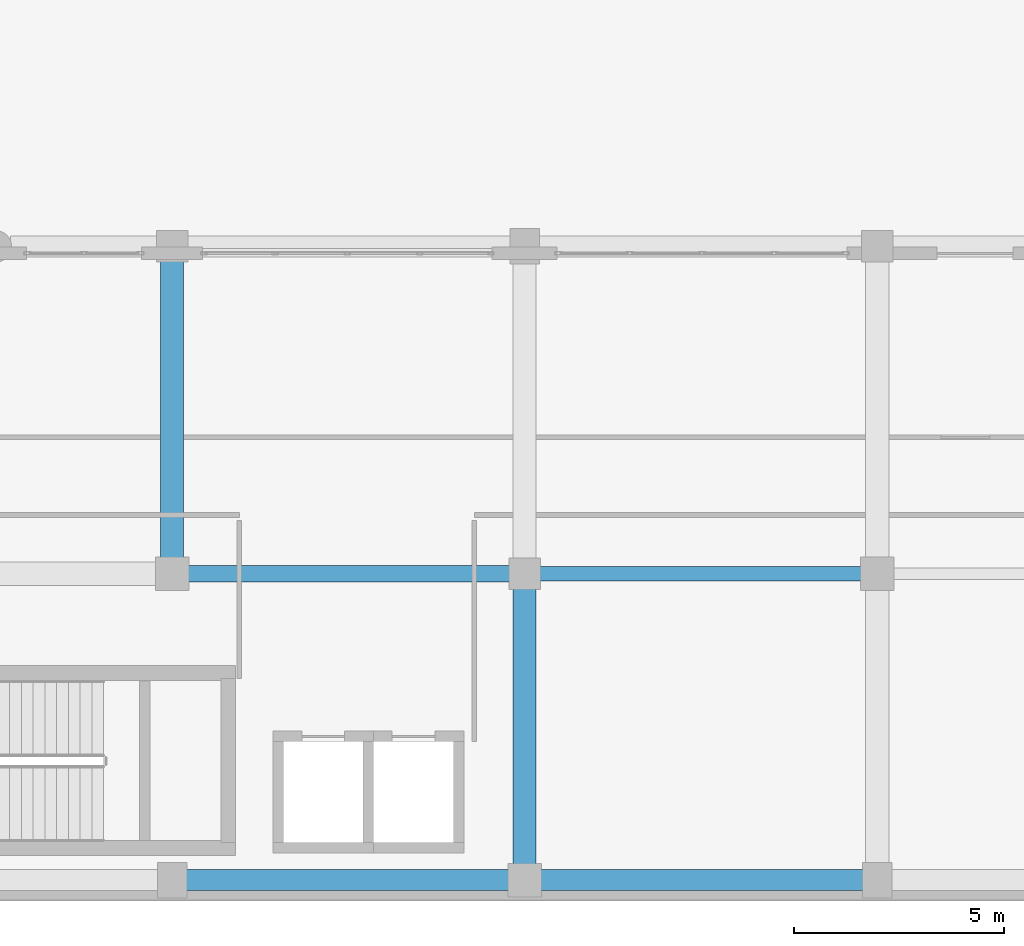
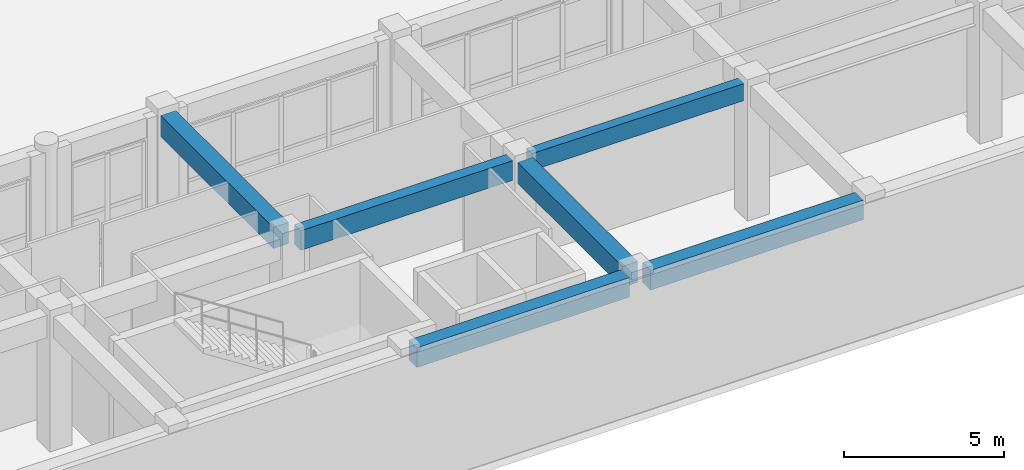
# One storey, part 21 of 148: 6 beams.
"""IFC4 building model written with IfcOpenShell, lengths in metres."""

from ifc_helpers import new_model, si_unit, direction, frame, origin, origin_2d, place, context, subcontext, project, spatial, rectangle, extrude, material, material_profile, profile_set, type_object, element, save


model = new_model("IFC4")

# Units and contexts
model_context = context("Model", 3, precision=1e-05, world=origin(), true_north=direction((0.0, 1.0)))
body_context = subcontext(model_context, "Body", "Model", "MODEL_VIEW")
ifc_project = project(units=[si_unit("LENGTHUNIT", "METRE"), si_unit("AREAUNIT", "SQUARE_METRE"), si_unit("VOLUMEUNIT", "CUBIC_METRE"), si_unit("PLANEANGLEUNIT", "RADIAN"), si_unit("MASSUNIT", "GRAM", prefix="KILO")], contexts=[model_context])

# Site, building, storey
site_placement = place(None, origin())
site = spatial("IfcSite", under=ifc_project, at=site_placement, CompositionType="ELEMENT")
building_placement = place(site_placement, origin())
building = spatial("IfcBuilding", under=site, at=building_placement, Name="Quendrovan Civic Courthouse", CompositionType="ELEMENT")
storey_placement = place(building_placement, origin())
storey = spatial("IfcBuildingStorey", under=building, at=storey_placement, Name="L01", CompositionType="ELEMENT", Elevation=0.0)

# Beams
ifc_material = material(Name="Concrete C40/50", Category="concrete")
ifc_material_profile_1 = material_profile(ifc_material, rectangle(XDim=0.35009765625, YDim=0.64990234375, at=origin_2d()), Name="RC-BM-350x650")
ifc_profile_set_1 = profile_set([ifc_material_profile_1], Name="Concrete C40/50")
beam_type_1 = type_object("IfcBeamType", Name="BM-RC650B", PredefinedType="BEAM", material=ifc_profile_set_1)
beam_1_placement = place(storey_placement, frame((42.35498046875, 7.800048828125, 4.794921875), z_axis=(1.0, 0.0, 0.0), x_axis=(0.0, 1.0, 0.0)))
element("IfcBeam", 1, at=beam_1_placement, inside=storey, type_object=beam_type_1, Name="L01 Girder X0255", PredefinedType="BEAM", context=body_context, shape_type="SweptSolid", body=[
    extrude(rectangle(XDim=0.35009765625, YDim=0.64990234375, at=origin_2d()), origin(), (0.0, 0.0, 1.0), 7.6650390625),
])
ifc_material_profile_2 = material_profile(ifc_material, rectangle(XDim=0.5, YDim=0.75, at=origin_2d()), Name="RC-BM-500x750")
ifc_profile_set_2 = profile_set([ifc_material_profile_2], Name="Concrete C40/50")
beam_type_2 = type_object("IfcBeamType", Name="BM-RC750", PredefinedType="SPANDREL", material=ifc_profile_set_2)
for number, where, z_axis, x_axis, name in (
    (2, (33.929931640625, 0.5, 4.7451171875), (1.0, 0.0, 0.0), (0.0, 1.0, 0.0), "L01 Girder X0241"),
    (3, (42.3798828125, 0.5, 4.7451171875), (1.0, 0.0, 0.0), (0.0, 1.0, 0.0), "L01 Girder X0242"),
):
    element("IfcBeam", number, at=place(storey_placement, frame(where, z_axis=z_axis, x_axis=x_axis)), inside=storey, type_object=beam_type_2, Name=name, PredefinedType="SPANDREL", context=body_context, shape_type="SweptSolid", body=[
        extrude(rectangle(XDim=0.5, YDim=0.75, at=origin_2d()), origin(), (0.0, 0.0, 1.0), 7.690185546875),
    ])
ifc_material_profile_3 = material_profile(ifc_material, rectangle(XDim=0.39990234375, YDim=0.75, at=origin_2d()), Name="RC-BM-400x750")
ifc_profile_set_3 = profile_set([ifc_material_profile_3], Name="Concrete C40/50")
beam_type_3 = type_object("IfcBeamType", Name="BM-RC750B", PredefinedType="BEAM", material=ifc_profile_set_3)
beam_2_placement = place(storey_placement, frame((33.97998046875, 7.800048828125, 4.7451171875), z_axis=(1.0, 0.0, 0.0), x_axis=(0.0, 1.0, 0.0)))
element("IfcBeam", 4, at=beam_2_placement, inside=storey, type_object=beam_type_3, Name="L01 Girder X0254", PredefinedType="BEAM", context=body_context, shape_type="SweptSolid", body=[
    extrude(rectangle(XDim=0.39990234375, YDim=0.75, at=origin_2d()), origin(), (0.0, 0.0, 1.0), 7.6650390625),
])
ifc_material_profile_4 = material_profile(ifc_material, rectangle(XDim=0.550048828125, YDim=0.800048828125, at=origin_2d()), Name="RC-BM-550x800")
ifc_profile_set_4 = profile_set([ifc_material_profile_4], Name="Concrete C40/50")
beam_type_4 = type_object("IfcBeamType", Name="BM-RC800", PredefinedType="BEAM", material=ifc_profile_set_4)
beam_3_placement = place(storey_placement, frame((33.60009765625, 8.179931640625, 4.719970703125), z_axis=(0.0, 1.0, 0.0), x_axis=(-1.0, 0.0, 0.0)))
element("IfcBeam", 5, at=beam_3_placement, inside=storey, type_object=beam_type_4, Name="L01 Girder Y0403", PredefinedType="BEAM", context=body_context, shape_type="SweptSolid", body=[
    extrude(rectangle(XDim=0.550048828125, YDim=0.800048828125, at=origin_2d()), origin(), (0.0, 0.0, 1.0), 7.065185546875),
])
beam_4_placement = place(storey_placement, frame((42.0, 0.8798828125, 4.719970703125), z_axis=(0.0, 1.0, 0.0), x_axis=(-1.0, 0.0, 0.0)))
element("IfcBeam", 6, at=beam_4_placement, inside=storey, type_object=beam_type_4, Name="L01 Girder Y0410", PredefinedType="BEAM", context=body_context, shape_type="SweptSolid", body=[
    extrude(rectangle(XDim=0.550048828125, YDim=0.800048828125, at=origin_2d()), origin(), (0.0, 0.0, 1.0), 6.565185546875),
])

save(model, "model.ifc")
